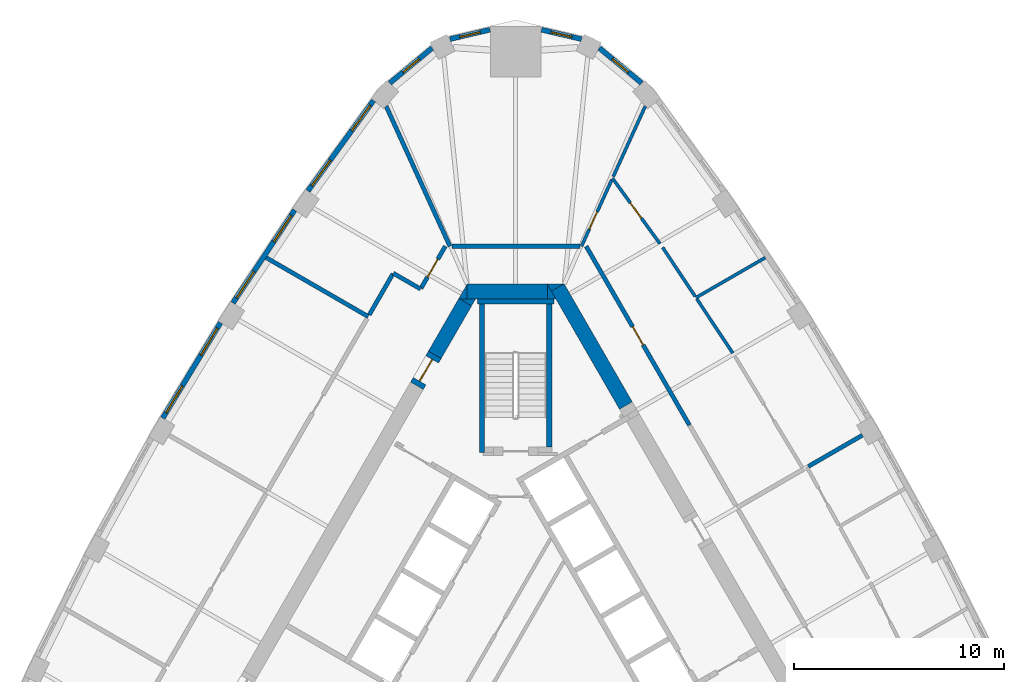
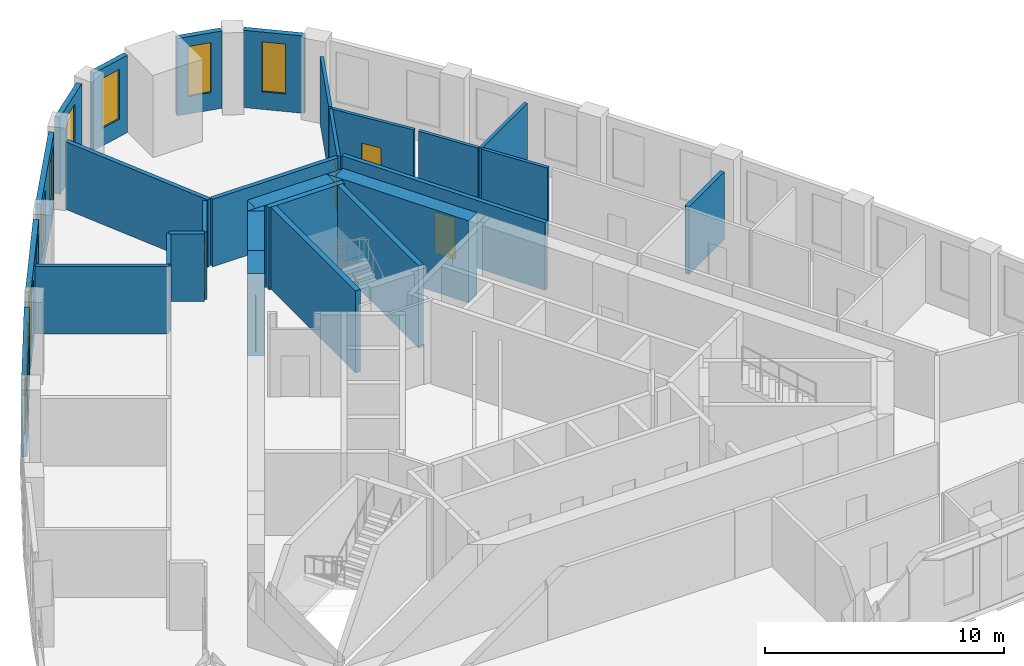
# One storey, part 8 of 10: 32 walls, 10 windows, 5 doors, 15 openings.
"""IFC4 building model written with IfcOpenShell, lengths in metres."""

from ifc_helpers import new_model, si_unit, direction, frame, frame_2d, origin, place, context, subcontext, project, spatial, polyline, rectangle, outline, extrude, material, layer, layer_set, type_object, element, fill, save


model = new_model("IFC4")

# Units and contexts
model_context = context("Model", 3, precision=1e-05, world=origin(), true_north=direction((0.0, 1.0)))
body_context = subcontext(model_context, "Body", "Model", "MODEL_VIEW")
ifc_project = project(units=[si_unit("LENGTHUNIT", "METRE"), si_unit("AREAUNIT", "SQUARE_METRE"), si_unit("VOLUMEUNIT", "CUBIC_METRE"), si_unit("PLANEANGLEUNIT", "RADIAN"), si_unit("MASSUNIT", "GRAM", prefix="KILO")], contexts=[model_context])

# Site, building, storey
site_placement = place(None, origin())
site = spatial("IfcSite", under=ifc_project, at=site_placement, CompositionType="ELEMENT")
building_placement = place(site_placement, origin())
building = spatial("IfcBuilding", under=site, at=building_placement, Name="Mestral Congress Tower", CompositionType="ELEMENT")
storey_placement = place(building_placement, frame((0.0, 0.0, 226.800048828125)))
storey = spatial("IfcBuildingStorey", under=building, at=storey_placement, Name="L53", CompositionType="ELEMENT", Elevation=226.800048828125)

# Walls
ifc_material_1 = material(Name="Concrete C60/75", Category="concrete")
ifc_layer_1 = layer(ifc_material_1, 0.699951171875)
ifc_layer_set_1 = layer_set([ifc_layer_1], Name="Concrete C60/75")
wall_type_1 = type_object("IfcWallType", Name="Core wall RC 700", PredefinedType="SOLIDWALL", material=ifc_layer_set_1)
wall_1_placement = place(storey_placement, frame((5.23828125, 10.927001953125, 0.0), z_axis=(0.0, 0.0, 1.0), x_axis=(-0.499985607887, 0.866033712915, 0.0)))
element("IfcWall", 1, at=wall_1_placement, inside=storey, type_object=wall_type_1, Name="L53 core wall", PredefinedType="SOLIDWALL", context=body_context, shape_type="SweptSolid", body=[
    extrude(rectangle(XDim=6.478271484375, YDim=0.699951171875, at=frame_2d((3.2392578125, 0.0))), origin(), (0.0, 0.0, 1.0), 4.199951171875),
])
placement = place(storey_placement, origin())
element("IfcWall", 2, at=placement, inside=storey, type_object=wall_type_1, Name="L53 core wall", PredefinedType="SOLIDWALL", context=body_context, shape_type="SweptSolid", body=[
    extrude(outline(polyline([(1.501220703125, 16.699951171875), (2.277099609375, 16.699951171875), (1.695068359375, 16.364013671875), (1.501220703125, 16.699951171875)])), origin(), (0.0, 0.0, 1.0), 4.199951171875),
])
wall_3_placement = place(storey_placement, frame((-2.323486328125, 16.35009765625, 0.0), z_axis=(0.0, 0.0, 1.0), x_axis=(1.0, 0.0, 0.0)))
element("IfcWall", 3, at=wall_3_placement, inside=storey, type_object=wall_type_1, Name="L53 core wall", PredefinedType="SOLIDWALL", context=body_context, shape_type="SweptSolid", body=[
    extrude(rectangle(XDim=3.828857421875, YDim=0.699951171875, at=frame_2d((1.91455078125, 0.0))), origin(), (0.0, 0.0, 1.0), 4.199951171875),
])
element("IfcWall", 4, at=placement, inside=storey, type_object=wall_type_1, Name="L53 core wall", PredefinedType="SOLIDWALL", context=body_context, shape_type="SweptSolid", body=[
    extrude(outline(polyline([(1.9052734375, 16.0), (1.50732421875, 16.0), (1.50732421875, 16.689208984375), (1.9052734375, 16.0)])), origin(), (0.0, 0.0, 1.0), 4.199951171875),
])
element("IfcWall", 5, at=placement, inside=storey, type_object=wall_type_1, Name="L53 core wall", PredefinedType="SOLIDWALL", context=body_context, shape_type="SweptSolid", body=[
    extrude(outline(polyline([(-2.71337890625, 16.0), (-2.325439453125, 16.672119140625), (-2.325439453125, 16.0), (-2.71337890625, 16.0)])), origin(), (0.0, 0.0, 1.0), 4.199951171875),
])
wall_6_placement = place(storey_placement, frame((-2.4033203125, 15.837158203125, 0.0), z_axis=(0.0, 0.0, 1.0), x_axis=(-0.500008214683, -0.866020660983, 0.0)))
element("IfcWall", 6, at=wall_6_placement, inside=storey, type_object=wall_type_1, Name="L53 core wall", PredefinedType="SOLIDWALL", context=body_context, shape_type="SweptSolid", body=[
    extrude(rectangle(XDim=2.88427734375, YDim=0.699951171875, at=frame_2d((1.442138671875, 0.0))), origin(), (0.0, 0.0, 1.0), 4.199951171875),
])
element("IfcWall", 7, at=placement, inside=storey, type_object=wall_type_1, Name="L53 core wall", PredefinedType="SOLIDWALL", context=body_context, shape_type="SweptSolid", body=[
    extrude(outline(polyline([(-1.9052734375, 16.0), (-2.099365234375, 15.6640625), (-2.681396484375, 16.0), (-1.9052734375, 16.0)])), origin(), (0.0, 0.0, 1.0), 4.199951171875),
])

# Wall, opening, door
wall_8_placement = place(storey_placement, frame((-4.695556640625, 11.866943359375, 0.0), z_axis=(0.0, 0.0, 1.0), x_axis=(0.499892348375, 0.866087547558, 0.0)))
wall_8 = element("IfcWall", 8, at=wall_8_placement, inside=storey, type_object=wall_type_1, Name="L53 door wall", PredefinedType="SOLIDWALL", context=body_context, shape_type="SweptSolid", body=[
    extrude(rectangle(XDim=1.699951171875, YDim=0.699951171875, at=frame_2d((0.85009765625, 0.0))), origin(), (0.0, 0.0, 1.0), 4.199951171875),
])
opening_1_placement = place(wall_8_placement, frame((0.25, 0.0, 0.0)))
opening_1 = element("IfcOpeningElement", 9, at=opening_1_placement, cuts=wall_8, Name="Opening XD2", PredefinedType="OPENING", context=body_context, shape_type="SweptSolid", body=[
    extrude(rectangle(XDim=1.199951171875, YDim=2.10009765625, at=frame_2d((0.60009765625, 1.050048828125))), frame((0.0, 0.35986328125, 0.0), z_axis=(0.0, -1.0, 0.0), x_axis=(1.0, 0.0, 0.0)), (0.0, 0.0, 1.0), 0.719970703125),
])
ifc_material_2 = material(Name="Fire-rated steel door set", Category="steel")
door_type_1 = type_object("IfcDoorType", Name="Core door XD 1200x2100", OperationType="SINGLE_SWING_LEFT", PredefinedType="DOOR", material=ifc_material_2)
door_1_placement = place(opening_1_placement, origin())
door_1 = element("IfcDoor", 10, at=door_1_placement, inside=storey, type_object=door_type_1, Name="Door XD2", OperationType="SINGLE_SWING_LEFT", OverallHeight=2.10009765625, OverallWidth=1.199951171875, PredefinedType="DOOR", context=body_context, shape_type="SweptSolid", body=[
    extrude(rectangle(XDim=1.199951171875, YDim=2.10009765625, at=frame_2d((0.60009765625, 1.050048828125))), frame((0.0, 0.02490234375, 0.0), z_axis=(0.0, -1.0, 0.0), x_axis=(1.0, 0.0, 0.0)), (0.0, 0.0, 1.0), 0.050048828125),
])
fill(opening_1, door_1)

# Wall, opening, window
ifc_material_3 = material(Name="Precast concrete C40/50 with limestone facing", Category="masonry")
ifc_layer_2 = layer(ifc_material_3, 0.239990234375)
ifc_layer_set_2 = layer_set([ifc_layer_2], Name="Precast concrete C40/50 with limestone facing")
wall_type_2 = type_object("IfcWallType", Name="Facade stone wall 240", PredefinedType="SOLIDWALL", material=ifc_layer_set_2)
wall_9_placement = place(storey_placement, frame((5.986572265625, 26.259033203125, 0.0), z_axis=(0.0, 0.0, 1.0), x_axis=(-0.769990037733, 0.638055908045, 0.0)))
wall_9 = element("IfcWall", 11, at=wall_9_placement, inside=storey, type_object=wall_type_2, Name="Facade wall K1-0", PredefinedType="SOLIDWALL", context=body_context, shape_type="SweptSolid", body=[
    extrude(rectangle(XDim=2.609130859375, YDim=0.239990234375, at=frame_2d((1.3046875, 0.0))), origin(), (0.0, 0.0, 1.0), 3.949951171875),
])
opening_2_placement = place(wall_9_placement, frame((0.8046875, 0.0, 0.89990234375)))
opening_2 = element("IfcOpeningElement", 12, at=opening_2_placement, cuts=wall_9, Name="Opening W5", PredefinedType="OPENING", context=body_context, shape_type="SweptSolid", body=[
    extrude(rectangle(XDim=1.0, YDim=2.550048828125, at=frame_2d((0.5, 1.27490234375))), frame((0.0, 0.1298828125, 0.0), z_axis=(0.0, -1.0, 0.0), x_axis=(1.0, 0.0, 0.0)), (0.0, 0.0, 1.0), 0.260009765625),
])
ifc_material_4 = material(Name="Clear low-emissivity double glazing", Category="glass")
window_type_1 = type_object("IfcWindowType", Name="Facade punched window 1000 x 2550 sill 900", PartitioningType="SINGLE_PANEL", PredefinedType="WINDOW", material=ifc_material_4)
window_1_placement = place(opening_2_placement, origin())
window_1 = element("IfcWindow", 13, at=window_1_placement, inside=storey, type_object=window_type_1, Name="Window K1-0", OverallHeight=2.550048828125, OverallWidth=1.0, PartitioningType="SINGLE_PANEL", PredefinedType="WINDOW", context=body_context, shape_type="SweptSolid", body=[
    extrude(rectangle(XDim=1.0, YDim=2.550048828125, at=frame_2d((0.5, 1.27490234375))), frame((0.0, 0.0400390625, 0.0), z_axis=(0.0, -1.0, 0.0), x_axis=(1.0, 0.0, 0.0)), (0.0, 0.0, 1.0), 0.06005859375),
])
fill(opening_2, window_1)

wall_10_placement = place(storey_placement, frame((3.123046875, 28.3486328125, 0.0), z_axis=(0.0, 0.0, 1.0), x_axis=(-0.973515706272, 0.228620142686, 0.0)))
wall_10 = element("IfcWall", 14, at=wall_10_placement, inside=storey, type_object=wall_type_2, Name="Facade wall K1-1", PredefinedType="SOLIDWALL", context=body_context, shape_type="SweptSolid", body=[
    extrude(rectangle(XDim=1.94775390625, YDim=0.239990234375, at=frame_2d((0.973876953125, 0.0))), origin(), (0.0, 0.0, 1.0), 3.949951171875),
])
opening_3_placement = place(wall_10_placement, frame((0.47412109375, 0.0, 0.89990234375)))
opening_3 = element("IfcOpeningElement", 15, at=opening_3_placement, cuts=wall_10, Name="Opening W5", PredefinedType="OPENING", context=body_context, shape_type="SweptSolid", body=[
    extrude(rectangle(XDim=1.0, YDim=2.550048828125, at=frame_2d((0.5, 1.27490234375))), frame((0.0, 0.1298828125, 0.0), z_axis=(0.0, -1.0, 0.0), x_axis=(1.0, 0.0, 0.0)), (0.0, 0.0, 1.0), 0.260009765625),
])
window_2_placement = place(opening_3_placement, origin())
window_2 = element("IfcWindow", 16, at=window_2_placement, inside=storey, type_object=window_type_1, Name="Window K1-1", OverallHeight=2.550048828125, OverallWidth=1.0, PartitioningType="SINGLE_PANEL", PredefinedType="WINDOW", context=body_context, shape_type="SweptSolid", body=[
    extrude(rectangle(XDim=1.0, YDim=2.550048828125, at=frame_2d((0.5, 1.27490234375))), frame((0.0, 0.0400390625, 0.0), z_axis=(0.0, -1.0, 0.0), x_axis=(1.0, 0.0, 0.0)), (0.0, 0.0, 1.0), 0.06005859375),
])
fill(opening_3, window_2)

wall_11_placement = place(storey_placement, frame((-1.226806640625, 28.7939453125, 0.0), z_axis=(0.0, 0.0, 1.0), x_axis=(-0.973515706272, -0.228620142686, 0.0)))
wall_11 = element("IfcWall", 17, at=wall_11_placement, inside=storey, type_object=wall_type_2, Name="Facade wall K1-2", PredefinedType="SOLIDWALL", context=body_context, shape_type="SweptSolid", body=[
    extrude(rectangle(XDim=1.94775390625, YDim=0.239990234375, at=frame_2d((0.973876953125, 0.0))), origin(), (0.0, 0.0, 1.0), 3.949951171875),
])
opening_4_placement = place(wall_11_placement, frame((0.47412109375, 0.0, 0.89990234375)))
opening_4 = element("IfcOpeningElement", 18, at=opening_4_placement, cuts=wall_11, Name="Opening W5", PredefinedType="OPENING", context=body_context, shape_type="SweptSolid", body=[
    extrude(rectangle(XDim=1.0, YDim=2.550048828125, at=frame_2d((0.5, 1.27490234375))), frame((0.0, 0.1298828125, 0.0), z_axis=(0.0, -1.0, 0.0), x_axis=(1.0, 0.0, 0.0)), (0.0, 0.0, 1.0), 0.260009765625),
])
window_3_placement = place(opening_4_placement, origin())
window_3 = element("IfcWindow", 19, at=window_3_placement, inside=storey, type_object=window_type_1, Name="Window K1-2", OverallHeight=2.550048828125, OverallWidth=1.0, PartitioningType="SINGLE_PANEL", PredefinedType="WINDOW", context=body_context, shape_type="SweptSolid", body=[
    extrude(rectangle(XDim=1.0, YDim=2.550048828125, at=frame_2d((0.5, 1.27490234375))), frame((0.0, 0.0400390625, 0.0), z_axis=(0.0, -1.0, 0.0), x_axis=(1.0, 0.0, 0.0)), (0.0, 0.0, 1.0), 0.06005859375),
])
fill(opening_4, window_3)

wall_12_placement = place(storey_placement, frame((-3.9775390625, 27.923828125, 0.0), z_axis=(0.0, 0.0, 1.0), x_axis=(-0.769990037733, -0.638055908045, 0.0)))
wall_12 = element("IfcWall", 20, at=wall_12_placement, inside=storey, type_object=wall_type_2, Name="Facade wall K1-3", PredefinedType="SOLIDWALL", context=body_context, shape_type="SweptSolid", body=[
    extrude(rectangle(XDim=2.609130859375, YDim=0.239990234375, at=frame_2d((1.3046875, 0.0))), origin(), (0.0, 0.0, 1.0), 3.949951171875),
])
opening_5_placement = place(wall_12_placement, frame((0.8046875, 0.0, 0.89990234375)))
opening_5 = element("IfcOpeningElement", 21, at=opening_5_placement, cuts=wall_12, Name="Opening W5", PredefinedType="OPENING", context=body_context, shape_type="SweptSolid", body=[
    extrude(rectangle(XDim=1.0, YDim=2.550048828125, at=frame_2d((0.5, 1.27490234375))), frame((0.0, 0.1298828125, 0.0), z_axis=(0.0, -1.0, 0.0), x_axis=(1.0, 0.0, 0.0)), (0.0, 0.0, 1.0), 0.260009765625),
])
window_4_placement = place(opening_5_placement, origin())
window_4 = element("IfcWindow", 22, at=window_4_placement, inside=storey, type_object=window_type_1, Name="Window K1-3", OverallHeight=2.550048828125, OverallWidth=1.0, PartitioningType="SINGLE_PANEL", PredefinedType="WINDOW", context=body_context, shape_type="SweptSolid", body=[
    extrude(rectangle(XDim=1.0, YDim=2.550048828125, at=frame_2d((0.5, 1.27490234375))), frame((0.0, 0.0400390625, 0.0), z_axis=(0.0, -1.0, 0.0), x_axis=(1.0, 0.0, 0.0)), (0.0, 0.0, 1.0), 0.06005859375),
])
fill(opening_5, window_4)

# Wall, openings, windows
wall_13_placement = place(storey_placement, frame((-6.760986328125, 25.431884765625, 0.0), z_axis=(0.0, 0.0, 1.0), x_axis=(-0.586998456641, -0.80958805074, 0.0)))
wall_13 = element("IfcWall", 23, at=wall_13_placement, inside=storey, type_object=wall_type_2, Name="Facade wall F2-00", PredefinedType="SOLIDWALL", context=body_context, shape_type="SweptSolid", body=[
    extrude(rectangle(XDim=5.310791015625, YDim=0.239990234375, at=frame_2d((2.6552734375, 0.0))), origin(), (0.0, 0.0, 1.0), 3.949951171875),
])
opening_6_placement = place(wall_13_placement, frame((0.271484375, 0.0, 0.89990234375)))
opening_6 = element("IfcOpeningElement", 24, at=opening_6_placement, cuts=wall_13, Name="Opening W4", PredefinedType="OPENING", context=body_context, shape_type="SweptSolid", body=[
    extrude(rectangle(XDim=1.5, YDim=2.550048828125, at=frame_2d((0.75, 1.27490234375))), frame((0.0, 0.1298828125, 0.0), z_axis=(0.0, -1.0, 0.0), x_axis=(1.0, 0.0, 0.0)), (0.0, 0.0, 1.0), 0.260009765625),
])
opening_7_placement = place(wall_13_placement, frame((3.50439453125, 0.0, 0.89990234375)))
opening_7 = element("IfcOpeningElement", 25, at=opening_7_placement, cuts=wall_13, Name="Opening W4", PredefinedType="OPENING", context=body_context, shape_type="SweptSolid", body=[
    extrude(rectangle(XDim=1.5, YDim=2.550048828125, at=frame_2d((0.75, 1.27490234375))), frame((0.0, 0.1298828125, 0.0), z_axis=(0.0, -1.0, 0.0), x_axis=(1.0, 0.0, 0.0)), (0.0, 0.0, 1.0), 0.260009765625),
])
window_type_2 = type_object("IfcWindowType", Name="Facade punched window 1500 x 2550 sill 900", PartitioningType="SINGLE_PANEL", PredefinedType="WINDOW", material=ifc_material_4)
window_5_placement = place(opening_6_placement, origin())
window_5 = element("IfcWindow", 26, at=window_5_placement, inside=storey, type_object=window_type_2, Name="Window F2-00a", OverallHeight=2.550048828125, OverallWidth=1.5, PartitioningType="SINGLE_PANEL", PredefinedType="WINDOW", context=body_context, shape_type="SweptSolid", body=[
    extrude(rectangle(XDim=1.5, YDim=2.550048828125, at=frame_2d((0.75, 1.27490234375))), frame((0.0, 0.0400390625, 0.0), z_axis=(0.0, -1.0, 0.0), x_axis=(1.0, 0.0, 0.0)), (0.0, 0.0, 1.0), 0.06005859375),
])
fill(opening_6, window_5)
window_6_placement = place(opening_7_placement, origin())
window_6 = element("IfcWindow", 27, at=window_6_placement, inside=storey, type_object=window_type_2, Name="Window F2-00b", OverallHeight=2.550048828125, OverallWidth=1.5, PartitioningType="SINGLE_PANEL", PredefinedType="WINDOW", context=body_context, shape_type="SweptSolid", body=[
    extrude(rectangle(XDim=1.5, YDim=2.550048828125, at=frame_2d((0.75, 1.27490234375))), frame((0.0, 0.0400390625, 0.0), z_axis=(0.0, -1.0, 0.0), x_axis=(1.0, 0.0, 0.0)), (0.0, 0.0, 1.0), 0.06005859375),
])
fill(opening_7, window_6)

wall_14_placement = place(storey_placement, frame((-10.5126953125, 20.21826171875, 0.0), z_axis=(0.0, 0.0, 1.0), x_axis=(-0.552901821755, -0.833246407433, 0.0)))
wall_14 = element("IfcWall", 28, at=wall_14_placement, inside=storey, type_object=wall_type_2, Name="Facade wall F2-01", PredefinedType="SOLIDWALL", context=body_context, shape_type="SweptSolid", body=[
    extrude(rectangle(XDim=5.29833984375, YDim=0.239990234375, at=frame_2d((2.649169921875, 0.0))), origin(), (0.0, 0.0, 1.0), 3.949951171875),
])
opening_8_placement = place(wall_14_placement, frame((0.29443359375, 0.0, 0.89990234375)))
opening_8 = element("IfcOpeningElement", 29, at=opening_8_placement, cuts=wall_14, Name="Opening W4", PredefinedType="OPENING", context=body_context, shape_type="SweptSolid", body=[
    extrude(rectangle(XDim=1.5, YDim=2.550048828125, at=frame_2d((0.75, 1.27490234375))), frame((0.0, 0.1298828125, 0.0), z_axis=(0.0, -1.0, 0.0), x_axis=(1.0, 0.0, 0.0)), (0.0, 0.0, 1.0), 0.260009765625),
])
opening_9_placement = place(wall_14_placement, frame((3.503662109375, 0.0, 0.89990234375)))
opening_9 = element("IfcOpeningElement", 30, at=opening_9_placement, cuts=wall_14, Name="Opening W4", PredefinedType="OPENING", context=body_context, shape_type="SweptSolid", body=[
    extrude(rectangle(XDim=1.5, YDim=2.550048828125, at=frame_2d((0.75, 1.27490234375))), frame((0.0, 0.1298828125, 0.0), z_axis=(0.0, -1.0, 0.0), x_axis=(1.0, 0.0, 0.0)), (0.0, 0.0, 1.0), 0.260009765625),
])
window_7_placement = place(opening_8_placement, origin())
window_7 = element("IfcWindow", 31, at=window_7_placement, inside=storey, type_object=window_type_2, Name="Window F2-01a", OverallHeight=2.550048828125, OverallWidth=1.5, PartitioningType="SINGLE_PANEL", PredefinedType="WINDOW", context=body_context, shape_type="SweptSolid", body=[
    extrude(rectangle(XDim=1.5, YDim=2.550048828125, at=frame_2d((0.75, 1.27490234375))), frame((0.0, 0.0400390625, 0.0), z_axis=(0.0, -1.0, 0.0), x_axis=(1.0, 0.0, 0.0)), (0.0, 0.0, 1.0), 0.06005859375),
])
fill(opening_8, window_7)
window_8_placement = place(opening_9_placement, origin())
window_8 = element("IfcWindow", 32, at=window_8_placement, inside=storey, type_object=window_type_2, Name="Window F2-01b", OverallHeight=2.550048828125, OverallWidth=1.5, PartitioningType="SINGLE_PANEL", PredefinedType="WINDOW", context=body_context, shape_type="SweptSolid", body=[
    extrude(rectangle(XDim=1.5, YDim=2.550048828125, at=frame_2d((0.75, 1.27490234375))), frame((0.0, 0.0400390625, 0.0), z_axis=(0.0, -1.0, 0.0), x_axis=(1.0, 0.0, 0.0)), (0.0, 0.0, 1.0), 0.06005859375),
])
fill(opening_9, window_8)

wall_15_placement = place(storey_placement, frame((-14.0380859375, 14.86376953125, 0.0), z_axis=(0.0, 0.0, 1.0), x_axis=(-0.517846166225, -0.855473756538, 0.0)))
wall_15 = element("IfcWall", 33, at=wall_15_placement, inside=storey, type_object=wall_type_2, Name="Facade wall F2-02", PredefinedType="SOLIDWALL", context=body_context, shape_type="SweptSolid", body=[
    extrude(rectangle(XDim=5.298095703125, YDim=0.239990234375, at=frame_2d((2.64892578125, 0.0))), origin(), (0.0, 0.0, 1.0), 3.949951171875),
])
opening_10_placement = place(wall_15_placement, frame((0.29443359375, 0.0, 0.89990234375)))
opening_10 = element("IfcOpeningElement", 34, at=opening_10_placement, cuts=wall_15, Name="Opening W4", PredefinedType="OPENING", context=body_context, shape_type="SweptSolid", body=[
    extrude(rectangle(XDim=1.5, YDim=2.550048828125, at=frame_2d((0.75, 1.27490234375))), frame((0.0, 0.1298828125, 0.0), z_axis=(0.0, -1.0, 0.0), x_axis=(1.0, 0.0, 0.0)), (0.0, 0.0, 1.0), 0.260009765625),
])
opening_11_placement = place(wall_15_placement, frame((3.503662109375, 0.0, 0.89990234375)))
opening_11 = element("IfcOpeningElement", 35, at=opening_11_placement, cuts=wall_15, Name="Opening W4", PredefinedType="OPENING", context=body_context, shape_type="SweptSolid", body=[
    extrude(rectangle(XDim=1.5, YDim=2.550048828125, at=frame_2d((0.75, 1.27490234375))), frame((0.0, 0.1298828125, 0.0), z_axis=(0.0, -1.0, 0.0), x_axis=(1.0, 0.0, 0.0)), (0.0, 0.0, 1.0), 0.260009765625),
])
window_9_placement = place(opening_10_placement, origin())
window_9 = element("IfcWindow", 36, at=window_9_placement, inside=storey, type_object=window_type_2, Name="Window F2-02a", OverallHeight=2.550048828125, OverallWidth=1.5, PartitioningType="SINGLE_PANEL", PredefinedType="WINDOW", context=body_context, shape_type="SweptSolid", body=[
    extrude(rectangle(XDim=1.5, YDim=2.550048828125, at=frame_2d((0.75, 1.27490234375))), frame((0.0, 0.0400390625, 0.0), z_axis=(0.0, -1.0, 0.0), x_axis=(1.0, 0.0, 0.0)), (0.0, 0.0, 1.0), 0.06005859375),
])
fill(opening_10, window_9)
window_10_placement = place(opening_11_placement, origin())
window_10 = element("IfcWindow", 37, at=window_10_placement, inside=storey, type_object=window_type_2, Name="Window F2-02b", OverallHeight=2.550048828125, OverallWidth=1.5, PartitioningType="SINGLE_PANEL", PredefinedType="WINDOW", context=body_context, shape_type="SweptSolid", body=[
    extrude(rectangle(XDim=1.5, YDim=2.550048828125, at=frame_2d((0.75, 1.27490234375))), frame((0.0, 0.0400390625, 0.0), z_axis=(0.0, -1.0, 0.0), x_axis=(1.0, 0.0, 0.0)), (0.0, 0.0, 1.0), 0.06005859375),
])
fill(opening_11, window_10)

# Walls
ifc_material_5 = material(Name="Plasterboard partition on steel studs", Category="steel")
ifc_layer_3 = layer(ifc_material_5, 0.14990234375)
ifc_layer_set_3 = layer_set([ifc_layer_3], Name="Plasterboard partition on steel studs")
wall_type_3 = type_object("IfcWallType", Name="Office partition 150", PredefinedType="PARTITIONING", material=ifc_layer_set_3)
wall_16_placement = place(storey_placement, frame((8.5703125, 16.055908203125, 0.0), z_axis=(0.0, 0.0, 1.0), x_axis=(0.866000839906, 0.500042543472, 0.0)))
element("IfcWall", 38, at=wall_16_placement, inside=storey, type_object=wall_type_3, Name="Partition", PredefinedType="PARTITIONING", context=body_context, shape_type="SweptSolid", body=[
    extrude(rectangle(XDim=3.807373046875, YDim=0.14990234375, at=frame_2d((1.90380859375, 0.0))), origin(), (0.0, 0.0, 1.0), 3.449951171875),
])
wall_17_placement = place(storey_placement, frame((10.320068359375, 13.418701171875, 0.0), z_axis=(0.0, 0.0, 1.0), x_axis=(-0.552857215969, 0.833276003945, 0.0)))
element("IfcWall", 39, at=wall_17_placement, inside=storey, type_object=wall_type_3, Name="Partition", PredefinedType="PARTITIONING", context=body_context, shape_type="SweptSolid", body=[
    extrude(rectangle(XDim=3.08984375, YDim=0.14990234375, at=frame_2d((1.544921875, 0.0))), origin(), (0.0, 0.0, 1.0), 3.449951171875),
])
wall_18_placement = place(storey_placement, frame((8.528564453125, 16.118408203125, 0.0), z_axis=(0.0, 0.0, 1.0), x_axis=(-0.552884246744, 0.833258069089, 0.0)))
element("IfcWall", 40, at=wall_18_placement, inside=storey, type_object=wall_type_3, Name="Partition", PredefinedType="PARTITIONING", context=body_context, shape_type="SweptSolid", body=[
    extrude(rectangle(XDim=2.794189453125, YDim=0.14990234375, at=frame_2d((1.39697265625, 0.0))), origin(), (0.0, 0.0, 1.0), 3.449951171875),
])

# Wall, opening, door
wall_19_placement = place(storey_placement, frame((4.6005859375, 21.733154296875, 0.0), z_axis=(0.0, 0.0, 1.0), x_axis=(0.587031033917, -0.809564429319, 0.0)))
wall_19 = element("IfcWall", 41, at=wall_19_placement, inside=storey, type_object=wall_type_3, Name="Partition", PredefinedType="PARTITIONING", context=body_context, shape_type="SweptSolid", body=[
    extrude(rectangle(XDim=3.84521484375, YDim=0.14990234375, at=frame_2d((1.922607421875, 0.0))), origin(), (0.0, 0.0, 1.0), 3.449951171875),
])
opening_12_placement = place(wall_19_placement, frame((1.4453125, 0.0, 0.0)))
opening_12 = element("IfcOpeningElement", 42, at=opening_12_placement, cuts=wall_19, Name="Opening O08-017", PredefinedType="OPENING", context=body_context, shape_type="SweptSolid", body=[
    extrude(rectangle(XDim=0.89990234375, YDim=2.10009765625, at=frame_2d((0.449951171875, 1.050048828125))), frame((0.0, 0.0849609375, 0.0), z_axis=(0.0, -1.0, 0.0), x_axis=(1.0, 0.0, 0.0)), (0.0, 0.0, 1.0), 0.169921875),
])
ifc_material_6 = material(Name="Timber door set", Category="wood")
door_type_2 = type_object("IfcDoorType", Name="Office door 900x2100", OperationType="SINGLE_SWING_LEFT", PredefinedType="DOOR", material=ifc_material_6)
door_2_placement = place(opening_12_placement, origin())
door_2 = element("IfcDoor", 43, at=door_2_placement, inside=storey, type_object=door_type_2, Name="Door O08-017", OperationType="SINGLE_SWING_LEFT", OverallHeight=2.10009765625, OverallWidth=0.89990234375, PredefinedType="DOOR", context=body_context, shape_type="SweptSolid", body=[
    extrude(rectangle(XDim=0.89990234375, YDim=2.10009765625, at=frame_2d((0.449951171875, 1.050048828125))), frame((0.0, 0.02490234375, 0.0), z_axis=(0.0, -1.0, 0.0), x_axis=(1.0, 0.0, 0.0)), (0.0, 0.0, 1.0), 0.050048828125),
])
fill(opening_12, door_2)

# Wall
wall_20_placement = place(storey_placement, frame((4.636474609375, 21.811767578125, 0.0), z_axis=(0.0, 0.0, 1.0), x_axis=(0.414322811892, 0.910129994861, 0.0)))
element("IfcWall", 44, at=wall_20_placement, inside=storey, type_object=wall_type_3, Name="Partition", PredefinedType="PARTITIONING", context=body_context, shape_type="SweptSolid", body=[
    extrude(rectangle(XDim=3.67919921875, YDim=0.14990234375, at=frame_2d((1.839599609375, 0.0))), origin(), (0.0, 0.0, 1.0), 3.449951171875),
])

# Wall, opening, door
wall_21_placement = place(storey_placement, frame((3.12890625, 18.5, 0.0), z_axis=(0.0, 0.0, 1.0), x_axis=(0.414291096557, 0.910144432117, 0.0)))
wall_21 = element("IfcWall", 45, at=wall_21_placement, inside=storey, type_object=wall_type_3, Name="Partition", PredefinedType="PARTITIONING", context=body_context, shape_type="SweptSolid", body=[
    extrude(rectangle(XDim=3.46630859375, YDim=0.14990234375, at=frame_2d((1.733154296875, 0.0))), origin(), (0.0, 0.0, 1.0), 3.449951171875),
])
opening_13_placement = place(wall_21_placement, frame((0.89990234375, 0.0, 0.0)))
opening_13 = element("IfcOpeningElement", 46, at=opening_13_placement, cuts=wall_21, Name="Opening O08-019", PredefinedType="OPENING", context=body_context, shape_type="SweptSolid", body=[
    extrude(rectangle(XDim=0.89990234375, YDim=2.10009765625, at=frame_2d((0.449951171875, 1.050048828125))), frame((0.0, 0.0849609375, 0.0), z_axis=(0.0, -1.0, 0.0), x_axis=(1.0, 0.0, 0.0)), (0.0, 0.0, 1.0), 0.169921875),
])
door_3_placement = place(opening_13_placement, origin())
door_3 = element("IfcDoor", 47, at=door_3_placement, inside=storey, type_object=door_type_2, Name="Door O08-019", OperationType="SINGLE_SWING_LEFT", OverallHeight=2.10009765625, OverallWidth=0.89990234375, PredefinedType="DOOR", context=body_context, shape_type="SweptSolid", body=[
    extrude(rectangle(XDim=0.89990234375, YDim=2.10009765625, at=frame_2d((0.449951171875, 1.050048828125))), frame((0.0, 0.02490234375, 0.0), z_axis=(0.0, -1.0, 0.0), x_axis=(1.0, 0.0, 0.0)), (0.0, 0.0, 1.0), 0.050048828125),
])
fill(opening_13, door_3)

# Walls
ifc_material_7 = material(Name="Dense masonry wall, plastered", Category="masonry")
ifc_layer_4 = layer(ifc_material_7, 0.199951171875)
ifc_layer_set_4 = layer_set([ifc_layer_4], Name="Dense masonry wall, plastered")
wall_type_4 = type_object("IfcWallType", Name="Office tenancy wall 200", PredefinedType="PARTITIONING", material=ifc_layer_set_4)
wall_22_placement = place(storey_placement, frame((-7.011474609375, 15.156005859375, 0.0), z_axis=(0.0, 0.0, 1.0), x_axis=(-0.866015917575, 0.500016430238, 0.0)))
element("IfcWall", 48, at=wall_22_placement, inside=storey, type_object=wall_type_4, Name="Tenancy wall", PredefinedType="PARTITIONING", context=body_context, shape_type="SweptSolid", body=[
    extrude(rectangle(XDim=5.607177734375, YDim=0.199951171875, at=frame_2d((2.8037109375, 0.0))), origin(), (0.0, 0.0, 1.0), 3.449951171875),
])
wall_23_placement = place(storey_placement, frame((-6.160888671875, 25.160400390625, 0.0), z_axis=(0.0, 0.0, 1.0), x_axis=(0.414315639321, -0.910133260031, 0.0)))
element("IfcWall", 49, at=wall_23_placement, inside=storey, type_object=wall_type_4, Name="Tenancy wall", PredefinedType="PARTITIONING", context=body_context, shape_type="SweptSolid", body=[
    extrude(rectangle(XDim=7.318115234375, YDim=0.199951171875, at=frame_2d((3.6591796875, 0.0))), origin(), (0.0, 0.0, 1.0), 3.449951171875),
])
wall_24_placement = place(storey_placement, frame((-4.522216796875, 16.46728515625, 0.0), z_axis=(0.0, 0.0, 1.0), x_axis=(-0.866031096941, 0.499990139034, 0.0)))
element("IfcWall", 50, at=wall_24_placement, inside=storey, type_object=wall_type_4, Name="Tenancy wall", PredefinedType="PARTITIONING", context=body_context, shape_type="SweptSolid", body=[
    extrude(rectangle(XDim=1.5, YDim=0.199951171875, at=frame_2d((0.75, 0.0))), origin(), (0.0, 0.0, 1.0), 3.449951171875),
])
wall_25_placement = place(storey_placement, frame((-5.836181640625, 17.19140625, 0.0), z_axis=(0.0, 0.0, 1.0), x_axis=(-0.500048020061, -0.865997677614, 0.0)))
element("IfcWall", 51, at=wall_25_placement, inside=storey, type_object=wall_type_4, Name="Tenancy wall", PredefinedType="PARTITIONING", context=body_context, shape_type="SweptSolid", body=[
    extrude(rectangle(XDim=2.250244140625, YDim=0.199951171875, at=frame_2d((1.125, 0.0))), origin(), (0.0, 0.0, 1.0), 3.449951171875),
])

# Wall, opening, door
wall_26_placement = place(storey_placement, frame((-3.3486328125, 18.5, 0.0), z_axis=(0.0, 0.0, 1.0), x_axis=(-0.499980886083, -0.866036438928, 0.0)))
wall_26 = element("IfcWall", 52, at=wall_26_placement, inside=storey, type_object=wall_type_4, Name="Tenancy wall", PredefinedType="PARTITIONING", context=body_context, shape_type="SweptSolid", body=[
    extrude(rectangle(XDim=2.31689453125, YDim=0.199951171875, at=frame_2d((1.158447265625, 0.0))), origin(), (0.0, 0.0, 1.0), 3.449951171875),
])
opening_14_placement = place(wall_26_placement, frame((0.699951171875, 0.0, 0.0)))
opening_14 = element("IfcOpeningElement", 53, at=opening_14_placement, cuts=wall_26, Name="Opening O08-001", PredefinedType="OPENING", context=body_context, shape_type="SweptSolid", body=[
    extrude(rectangle(XDim=1.0, YDim=2.10009765625, at=frame_2d((0.5, 1.050048828125))), frame((0.0, 0.10986328125, 0.0), z_axis=(0.0, -1.0, 0.0), x_axis=(1.0, 0.0, 0.0)), (0.0, 0.0, 1.0), 0.219970703125),
])
ifc_material_8 = material(Name="Fire-rated timber door set", Category="wood")
door_type_3 = type_object("IfcDoorType", Name="Office tenancy entrance door 1000x2100", OperationType="SINGLE_SWING_LEFT", PredefinedType="DOOR", material=ifc_material_8)
door_4_placement = place(opening_14_placement, origin())
door_4 = element("IfcDoor", 54, at=door_4_placement, inside=storey, type_object=door_type_3, Name="Door O08-001", OperationType="SINGLE_SWING_RIGHT", OverallHeight=2.10009765625, OverallWidth=1.0, PredefinedType="DOOR", context=body_context, shape_type="SweptSolid", body=[
    extrude(rectangle(XDim=1.0, YDim=2.10009765625, at=frame_2d((0.5, 1.050048828125))), frame((0.0, 0.02490234375, 0.0), z_axis=(0.0, -1.0, 0.0), x_axis=(1.0, 0.0, 0.0)), (0.0, 0.0, 1.0), 0.050048828125),
])
fill(opening_14, door_4)

# Wall
wall_27_placement = place(storey_placement, frame((13.91259765625, 8.032470703125, 0.0), z_axis=(0.0, 0.0, 1.0), x_axis=(0.866015594979, 0.500016988964, 0.0)))
element("IfcWall", 55, at=wall_27_placement, inside=storey, type_object=wall_type_4, Name="Tenancy wall", PredefinedType="PARTITIONING", context=body_context, shape_type="SweptSolid", body=[
    extrude(rectangle(XDim=2.9658203125, YDim=0.199951171875, at=frame_2d((1.48291015625, 0.0))), origin(), (0.0, 0.0, 1.0), 3.449951171875),
])

# Wall, opening, door
wall_28_placement = place(storey_placement, frame((8.257080078125, 9.998046875, 0.0), z_axis=(0.0, 0.0, 1.0), x_axis=(-0.499987955211, 0.866032357735, 0.0)))
wall_28 = element("IfcWall", 56, at=wall_28_placement, inside=storey, type_object=wall_type_4, Name="Tenancy wall", PredefinedType="PARTITIONING", context=body_context, shape_type="SweptSolid", body=[
    extrude(rectangle(XDim=9.817138671875, YDim=0.199951171875, at=frame_2d((4.90869140625, 0.0))), origin(), (0.0, 0.0, 1.0), 3.449951171875),
])
opening_15_placement = place(wall_28_placement, frame((4.39990234375, 0.0, 0.0)))
opening_15 = element("IfcOpeningElement", 57, at=opening_15_placement, cuts=wall_28, Name="Opening O08-018", PredefinedType="OPENING", context=body_context, shape_type="SweptSolid", body=[
    extrude(rectangle(XDim=1.0, YDim=2.10009765625, at=frame_2d((0.5, 1.050048828125))), frame((0.0, 0.10986328125, 0.0), z_axis=(0.0, -1.0, 0.0), x_axis=(1.0, 0.0, 0.0)), (0.0, 0.0, 1.0), 0.219970703125),
])
door_5_placement = place(opening_15_placement, origin())
door_5 = element("IfcDoor", 58, at=door_5_placement, inside=storey, type_object=door_type_3, Name="Door O08-018", OperationType="SINGLE_SWING_LEFT", OverallHeight=2.10009765625, OverallWidth=1.0, PredefinedType="DOOR", context=body_context, shape_type="SweptSolid", body=[
    extrude(rectangle(XDim=1.0, YDim=2.10009765625, at=frame_2d((0.5, 1.050048828125))), frame((0.0, 0.02490234375, 0.0), z_axis=(0.0, -1.0, 0.0), x_axis=(1.0, 0.0, 0.0)), (0.0, 0.0, 1.0), 0.050048828125),
])
fill(opening_15, door_5)

# Walls
wall_29_placement = place(storey_placement, frame((3.04638671875, 18.5, 0.0), z_axis=(0.0, 0.0, 1.0), x_axis=(-1.0, 0.0, 0.0)))
element("IfcWall", 59, at=wall_29_placement, inside=storey, type_object=wall_type_4, Name="Tenancy wall", PredefinedType="PARTITIONING", context=body_context, shape_type="SweptSolid", body=[
    extrude(rectangle(XDim=6.0654296875, YDim=0.199951171875, at=frame_2d((3.03271484375, 0.0))), origin(), (0.0, 0.0, 1.0), 3.449951171875),
])
ifc_layer_5 = layer(ifc_material_1, 0.25)
ifc_layer_set_5 = layer_set([ifc_layer_5], Name="Concrete C60/75")
wall_type_5 = type_object("IfcWallType", Name="Stair wall RC 250", PredefinedType="SOLIDWALL", material=ifc_layer_set_5)
wall_30_placement = place(storey_placement, frame((-1.81689453125, 15.875, 0.0), z_axis=(0.0, 0.0, 1.0), x_axis=(1.0, 0.0, 0.0)))
element("IfcWall", 60, at=wall_30_placement, inside=storey, type_object=wall_type_5, Name="L53 core wall", PredefinedType="SOLIDWALL", context=body_context, shape_type="SweptSolid", body=[
    extrude(rectangle(XDim=3.6337890625, YDim=0.25, at=frame_2d((1.81689453125, 0.0))), origin(), (0.0, 0.0, 1.0), 4.199951171875),
])
wall_31_placement = place(storey_placement, frame((1.60009765625, 8.949951171875, 0.0), z_axis=(0.0, 0.0, 1.0), x_axis=(0.0, 1.0, 0.0)))
element("IfcWall", 61, at=wall_31_placement, inside=storey, type_object=wall_type_5, Name="L53 core wall", PredefinedType="SOLIDWALL", context=body_context, shape_type="SweptSolid", body=[
    extrude(rectangle(XDim=6.800048828125, YDim=0.25, at=frame_2d((3.39990234375, 0.0))), origin(), (0.0, 0.0, 1.0), 4.199951171875),
])
wall_32_placement = place(storey_placement, frame((-1.60009765625, 8.699951171875, 0.0), z_axis=(0.0, 0.0, 1.0), x_axis=(0.0, 1.0, 0.0)))
element("IfcWall", 62, at=wall_32_placement, inside=storey, type_object=wall_type_5, Name="L53 core wall", PredefinedType="SOLIDWALL", context=body_context, shape_type="SweptSolid", body=[
    extrude(rectangle(XDim=7.050048828125, YDim=0.25, at=frame_2d((3.52490234375, 0.0))), origin(), (0.0, 0.0, 1.0), 4.199951171875),
])

save(model, "model.ifc")
